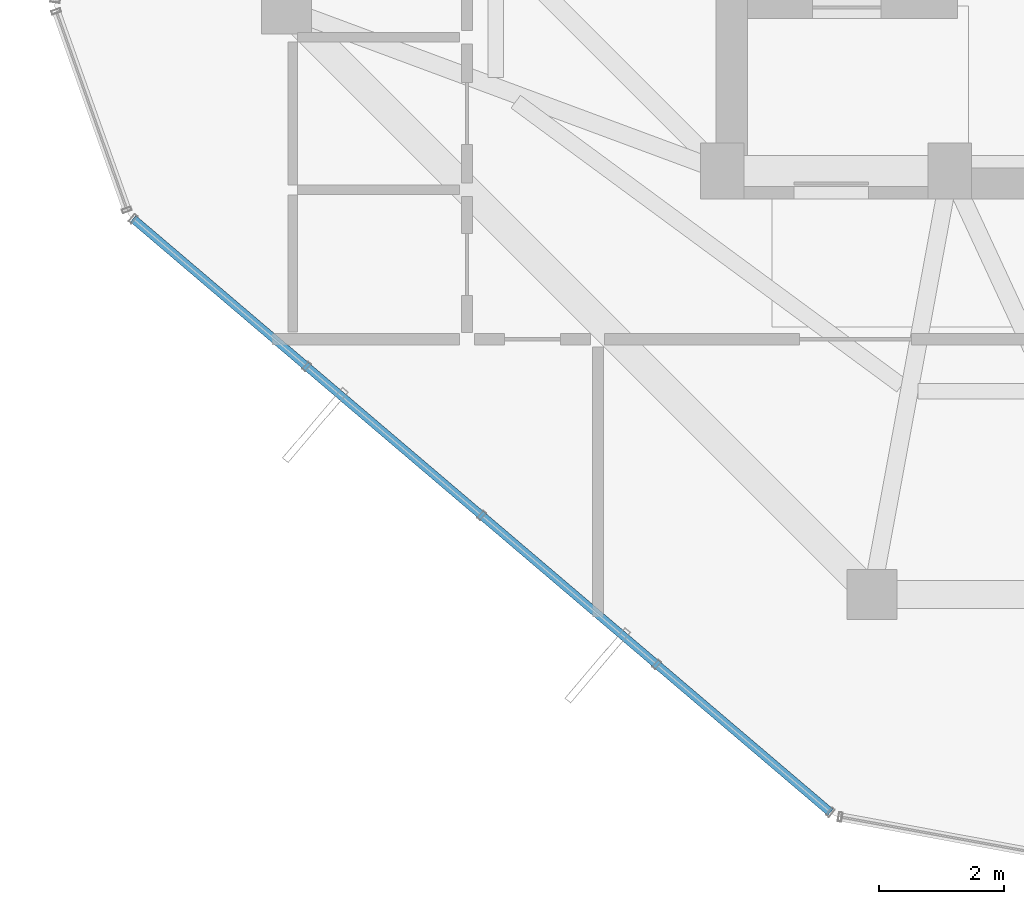
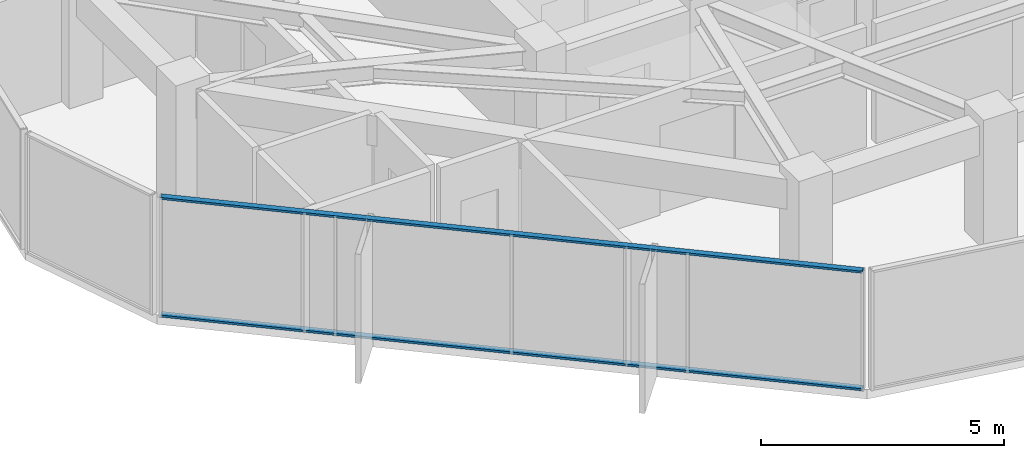
# One storey, part 3 of 29: 2 members, 1 element without a shape of its own.
"""IFC4 building model written with IfcOpenShell, lengths in metres."""

import ifcopenshell
import ifcopenshell.guid

model = None  # the IFC model being written
_history = None  # IfcOwnerHistory: only IFC2X3 demands one
_inside = {}  # id of a spatial element -> (the spatial element, [elements in it])
_under = {}  # id of a project, library or spatial element -> (it, [spatial elements below it])
_declared = {}  # id of a project -> (the project, [libraries it declares])
_typed = {}  # id of a type object -> (the type object, [elements of that type])
_made_of = {}  # id of a material, layer set ... -> (it, [elements and type objects made of it])


def new_model(schema):
    """Start an empty IFC model of exactly this schema.

    Asked for "IFC4X3", IfcOpenShell would pick the latest addendum, in which some entities
    have other attributes; the version numbers below select the first issue.
    IFC2X3 requires an IfcOwnerHistory on every rooted entity: one is made here for all.
    """
    global model, _history
    if schema == "IFC4X3":
        model = ifcopenshell.file(schema_version=(4, 3, 0, 0))
    else:
        model = ifcopenshell.file(schema=schema)
    _inside.clear()
    _under.clear()
    _declared.clear()
    _typed.clear()
    _made_of.clear()
    _history = None
    if model.schema == "IFC2X3":
        org = make("IfcOrganization", Name="unknown")
        user = make(
            "IfcPersonAndOrganization",
            ThePerson=make("IfcPerson", FamilyName="unknown"),
            TheOrganization=org,
        )
        app = make(
            "IfcApplication",
            ApplicationDeveloper=org,
            Version="unknown",
            ApplicationFullName="unknown",
            ApplicationIdentifier="unknown",
        )
        _history = make(
            "IfcOwnerHistory",
            OwningUser=user,
            OwningApplication=app,
            ChangeAction="ADDED",
            CreationDate=0,
        )
    return model


def make(cls, **values):
    """One entity of the class cls with the attributes given. An attribute that is None is left unset."""
    return model.create_entity(
        cls, **{name: value for name, value in values.items() if value is not None}
    )


def rooted(cls, **values):
    """An entity with a GlobalId (a new one), such as an element, a storey or a relation."""
    return make(cls, GlobalId=ifcopenshell.guid.new(), OwnerHistory=_history, **values)


def si_unit(unit_type, name, prefix=None):
    """IfcSIUnit, for example si_unit("LENGTHUNIT", "METRE", prefix="MILLI")."""
    return make("IfcSIUnit", UnitType=unit_type, Prefix=prefix, Name=name)


def assignment(units):
    """IfcUnitAssignment: the units of a project."""
    return None if units is None else make("IfcUnitAssignment", Units=units)


def point(xyz):
    """IfcCartesianPoint."""
    return None if xyz is None else make("IfcCartesianPoint", Coordinates=xyz)


def direction(xyz):
    """IfcDirection."""
    return None if xyz is None else make("IfcDirection", DirectionRatios=xyz)


def frame(location, z_axis=None, x_axis=None):
    """IfcAxis2Placement3D, a coordinate frame: its origin and axes. An axis left out is left unset."""
    return make(
        "IfcAxis2Placement3D",
        Location=point(location),
        Axis=direction(z_axis),
        RefDirection=direction(x_axis),
    )


def frame_2d(location, x_axis=None):
    """IfcAxis2Placement2D, a coordinate frame in the plane: its origin and x axis."""
    return make(
        "IfcAxis2Placement2D", Location=point(location), RefDirection=direction(x_axis)
    )


def origin():
    """The frame at (0, 0, 0) with its axes left unset."""
    return frame((0.0, 0.0, 0.0))


def origin_2d():
    """The frame at (0, 0) in the plane with its x axis left unset."""
    return frame_2d((0.0, 0.0))


def place(relative_to, where):
    """IfcLocalPlacement: puts the frame where relative to a parent placement (None: the world)."""
    return make(
        "IfcLocalPlacement", PlacementRelTo=relative_to, RelativePlacement=where
    )


def context(
    kind, dimensions, precision=None, world=None, true_north=None, identifier=None
):
    """IfcGeometricRepresentationContext, for example the 3D "Model" context."""
    return make(
        "IfcGeometricRepresentationContext",
        ContextIdentifier=identifier,
        ContextType=kind,
        CoordinateSpaceDimension=dimensions,
        Precision=precision,
        WorldCoordinateSystem=world,
        TrueNorth=true_north,
    )


def subcontext(parent, identifier, kind, view, scale=None):
    """IfcGeometricRepresentationSubContext, for example "Body" below "Model"."""
    return make(
        "IfcGeometricRepresentationSubContext",
        ContextIdentifier=identifier,
        ContextType=kind,
        ParentContext=parent,
        TargetScale=scale,
        TargetView=view,
    )


def project(units=None, contexts=None):
    """IfcProject with its units and contexts."""
    return rooted(
        "IfcProject",
        Name="project",
        RepresentationContexts=contexts,
        UnitsInContext=assignment(units),
    )


def spatial(cls, under=None, at=None, **own):
    """A site, building, storey or space (cls), placed at a placement, below another one or the project."""
    s = rooted(cls, ObjectPlacement=at, **own)
    if under is not None:
        _under.setdefault(under.id(), (under, []))[1].append(s)
    return s


def profile(cls, at=None, kind="AREA", **sizes):
    """A parametric profile (cls). Its sizes go by their IFC names, for example OverallWidth=200.0."""
    return make(cls, ProfileType=kind, Position=at, **sizes)


def hollow_rectangle(**sizes):
    """IfcRectangleHollowProfileDef."""
    return profile("IfcRectangleHollowProfileDef", **sizes)


def extrude(swept, where, along, depth):
    """IfcExtrudedAreaSolid: the profile swept, set in the frame where, extruded along a direction by depth."""
    return make(
        "IfcExtrudedAreaSolid",
        SweptArea=swept,
        Position=where,
        ExtrudedDirection=direction(along),
        Depth=depth,
    )


def shape(context_of_items, identifier, shape_type, items):
    """IfcShapeRepresentation: the items that make up one representation, for example the "Body"."""
    return make(
        "IfcShapeRepresentation",
        ContextOfItems=context_of_items,
        RepresentationIdentifier=identifier,
        RepresentationType=shape_type,
        Items=items,
    )


def source(mapping_origin, context_of_items, identifier, shape_type, items):
    """IfcRepresentationMap: a shape defined once, which mapped items show again and again."""
    return make(
        "IfcRepresentationMap",
        MappingOrigin=mapping_origin,
        MappedRepresentation=shape(context_of_items, identifier, shape_type, items),
    )


def transform(
    local_origin,
    x_axis=None,
    y_axis=None,
    z_axis=None,
    scale=None,
    scale2=None,
    scale3=None,
    uniform=True,
):
    """IfcCartesianTransformationOperator3D, or its non-uniform kind. x_axis, y_axis, z_axis: its Axis1, 2, 3."""
    if uniform:
        return make(
            "IfcCartesianTransformationOperator3D",
            Axis1=direction(x_axis),
            Axis2=direction(y_axis),
            LocalOrigin=point(local_origin),
            Scale=scale,
            Axis3=direction(z_axis),
        )
    return make(
        "IfcCartesianTransformationOperator3DnonUniform",
        Axis1=direction(x_axis),
        Axis2=direction(y_axis),
        LocalOrigin=point(local_origin),
        Scale=scale,
        Axis3=direction(z_axis),
        Scale2=scale2,
        Scale3=scale3,
    )


def mapped(mapping_source, mapping_target):
    """IfcMappedItem: shows the shape of a source again, moved by a transform."""
    return make(
        "IfcMappedItem", MappingSource=mapping_source, MappingTarget=mapping_target
    )


def material(Name=None, Category=None):
    """IfcMaterial."""
    return make("IfcMaterial", Name=Name, Category=Category)


def layer(
    of_material, thickness, ventilated=None, Name=None, Category=None, Priority=None
):
    """IfcMaterialLayer: one layer of a wall or slab, of a material (None: an air gap)."""
    return make(
        "IfcMaterialLayer",
        Material=of_material,
        LayerThickness=thickness,
        IsVentilated=ventilated,
        Name=Name,
        Category=Category,
        Priority=Priority,
    )


def layer_set(layers, Name=None):
    """IfcMaterialLayerSet."""
    return make("IfcMaterialLayerSet", MaterialLayers=layers, LayerSetName=Name)


def material_profile(
    of_material, cross_section, Name=None, Category=None, Priority=None
):
    """IfcMaterialProfile: a cross section and its material."""
    return make(
        "IfcMaterialProfile",
        Name=Name,
        Material=of_material,
        Profile=cross_section,
        Priority=Priority,
        Category=Category,
    )


def profile_set(profiles, Name=None, composite=None):
    """IfcMaterialProfileSet."""
    return make(
        "IfcMaterialProfileSet",
        Name=Name,
        MaterialProfiles=profiles,
        CompositeProfile=composite,
    )


def made_of(thing, what):
    """Note that an element or type object is made of a material, layer set ...; save() writes the relation."""
    if what is not None:
        _made_of.setdefault(what.id(), (what, []))[1].append(thing)
    return thing


def type_object(cls, material=None, **own):
    """A type object (cls), such as IfcWallType, which elements share."""
    return made_of(rooted(cls, **own), material)


def element(
    cls,
    number,
    at=None,
    inside=None,
    cuts=None,
    type_object=None,
    material=None,
    context=None,
    identifier="Body",
    shape_type=None,
    held_by="IfcProductDefinitionShape",
    body=None,
    shapes=None,
    **own,
):
    """One element of the class cls, such as IfcWall. Its Tag is "e" and its number.

    at: its placement. inside: the storey or other place that contains it. cuts: it is an
    opening in that element (IfcRelVoidsElement). A single representation is given by context,
    identifier, shape_type and body (its items); several are given by shapes. held_by: the class
    of the entity that holds the representations. save() writes the other relations.
    """
    e = rooted(cls, Tag="e%d" % number, ObjectPlacement=at, **own)
    if body is not None:
        shapes = [shape(context, identifier, shape_type, body)]
    if shapes is not None:
        e.Representation = make(held_by, Representations=shapes)
    if inside is not None:
        _inside.setdefault(inside.id(), (inside, []))[1].append(e)
    if cuts is not None:
        rooted(
            "IfcRelVoidsElement", RelatingBuildingElement=cuts, RelatedOpeningElement=e
        )
    if type_object is not None:
        _typed.setdefault(type_object.id(), (type_object, []))[1].append(e)
    return made_of(e, material)


def aggregate(whole, parts):
    """IfcRelAggregates: a whole, such as a stair, and the parts it consists of."""
    return rooted("IfcRelAggregates", RelatingObject=whole, RelatedObjects=parts)


def save(model, path):
    """Write the relations noted so far, then the file.

    IfcRelAggregates (storeys below a building ...), IfcRelContainedInSpatialStructure (elements
    in a storey), IfcRelDefinesByType, IfcRelAssociatesMaterial and IfcRelDeclares: one each for
    every whole, place, type object, material and project.
    """
    for whole, parts in _under.values():
        aggregate(whole, parts)
    for where, things in _inside.values():
        rooted(
            "IfcRelContainedInSpatialStructure",
            RelatedElements=things,
            RelatingStructure=where,
        )
    for kind, things in _typed.values():
        rooted("IfcRelDefinesByType", RelatedObjects=things, RelatingType=kind)
    for what, things in _made_of.values():
        rooted("IfcRelAssociatesMaterial", RelatedObjects=things, RelatingMaterial=what)
    for by, libraries in _declared.values():
        rooted("IfcRelDeclares", RelatingContext=by, RelatedDefinitions=libraries)
    model.write(path)


model = new_model("IFC4")

# Units and contexts
model_context = context("Model", 3, precision=1e-05, world=origin(), true_north=direction((0.0, 1.0)))
body_context = subcontext(model_context, "Body", "Model", "MODEL_VIEW")
ifc_project = project(units=[si_unit("LENGTHUNIT", "METRE"), si_unit("AREAUNIT", "SQUARE_METRE"), si_unit("VOLUMEUNIT", "CUBIC_METRE"), si_unit("PLANEANGLEUNIT", "RADIAN"), si_unit("MASSUNIT", "GRAM", prefix="KILO")], contexts=[model_context])

# Site, building, storey
site_placement = place(None, origin())
site = spatial("IfcSite", under=ifc_project, at=site_placement, CompositionType="ELEMENT")
building_placement = place(site_placement, origin())
building = spatial("IfcBuilding", under=site, at=building_placement, Name="Veraguas Prism Commons", CompositionType="ELEMENT")
storey_placement = place(building_placement, frame((0.0, 0.0, 244.75)))
storey = spatial("IfcBuildingStorey", under=building, at=storey_placement, Name="L69", CompositionType="ELEMENT", Elevation=244.75)

# Curtain wall, members
ifc_material = material(Name="Anodised aluminium EN AW-6063 T6", Category="aluminium")
ifc_layer = layer(ifc_material, 0.14990234375, Name="Unitised Flush Curtain Wall Zone 4", Category="aluminium")
ifc_layer_set = layer_set([ifc_layer], Name="Anodised aluminium EN AW-6063 T6")
curtain_wall_type = type_object("IfcCurtainWallType", Name="Unitised Flush Curtain Wall Zone 4", PredefinedType="NOTDEFINED", material=ifc_layer_set)
curtain_wall_placement = place(storey_placement, origin())
curtain_wall = element("IfcCurtainWall", 1, at=curtain_wall_placement, inside=storey, type_object=curtain_wall_type, Name="Tower Facade Curtain Wall L69-F4", PredefinedType="NOTDEFINED")
ifc_material_profile = material_profile(ifc_material, hollow_rectangle(XDim=0.054931640625, YDim=0.135009765625, WallThickness=0.0029296875, at=origin_2d()), Name="AL55X135X3")
ifc_profile_set = profile_set([ifc_material_profile], Name="Anodised aluminium EN AW-6063 T6")
member_type = type_object("IfcMemberType", Name="Curtain Wall Transom Standard AL 55x135x3", PredefinedType="USERDEFINED", material=ifc_profile_set)
shared_shape = source(origin(), body_context, "Body", "SweptSolid", [
    extrude(hollow_rectangle(XDim=0.054931640625, YDim=0.135009765625, WallThickness=0.0029296875, at=origin_2d()), origin(), (0.0, 0.0, 1.0), 14.706298828125),
])
member_1_placement = place(storey_placement, frame((7.73583984375, 16.235107421875, 0.027587890625), z_axis=(0.761538169352, -0.648120063429, 0.0), x_axis=(0.0, 0.0, 1.0)))
member_1 = element("IfcMember", 2, at=member_1_placement, type_object=member_type, Name="CW-Z4 Transom 1", ObjectType="TRANSOM", PredefinedType="USERDEFINED", context=body_context, shape_type="MappedRepresentation", body=[
    mapped(shared_shape, transform((0.0, 0.0, 0.0), scale=1.0)),
])
member_2_placement = place(storey_placement, frame((7.73583984375, 16.235107421875, 2.987548828125), z_axis=(0.761538169352, -0.648120063429, 0.0), x_axis=(0.0, 0.0, 1.0)))
member_2 = element("IfcMember", 3, at=member_2_placement, type_object=member_type, Name="CW-Z4 Transom 2", ObjectType="TRANSOM", PredefinedType="USERDEFINED", context=body_context, shape_type="MappedRepresentation", body=[
    mapped(shared_shape, transform((0.0, 0.0, 0.0), scale=1.0)),
])
aggregate(curtain_wall, [member_1, member_2])

save(model, "model.ifc")
